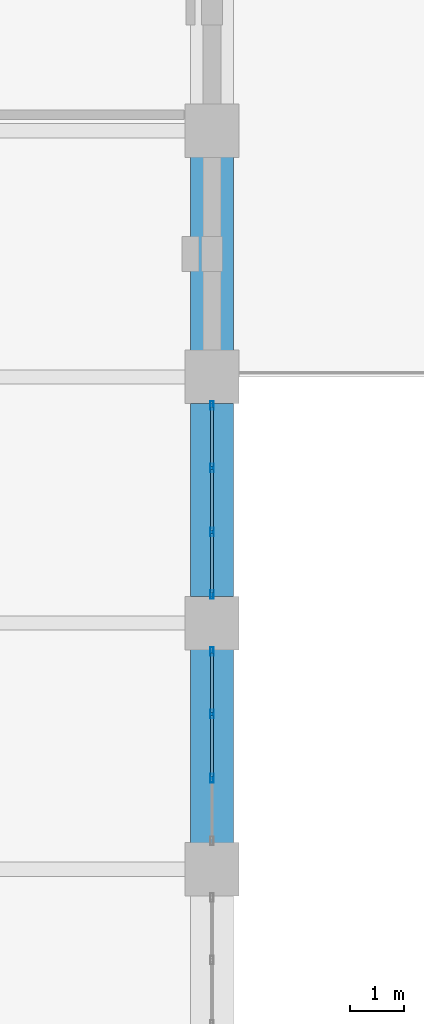
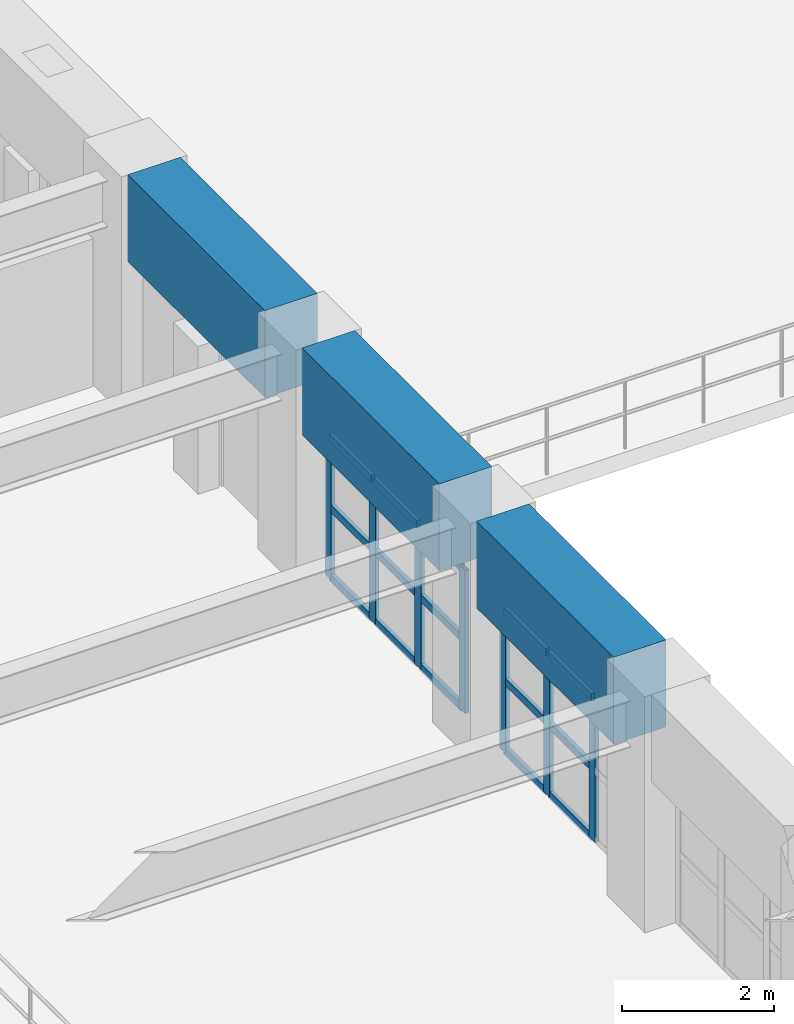
# One storey, part 30 of 74: 22 members, 3 beams, 2 elements without a shape of their own.
"""IFC4 building model written with IfcOpenShell, lengths in metres."""

from ifc_helpers import new_model, si_unit, direction, frame, origin, origin_2d, place, context, subcontext, project, spatial, rectangle, hollow_rectangle, extrude, material, layer, layer_set, material_profile, profile_set, type_object, element, aggregate, save


model = new_model("IFC4")

# Units and contexts
model_context = context("Model", 3, precision=1e-05, world=origin(), true_north=direction((0.0, 1.0)))
body_context = subcontext(model_context, "Body", "Model", "MODEL_VIEW")
ifc_project = project(units=[si_unit("LENGTHUNIT", "METRE"), si_unit("AREAUNIT", "SQUARE_METRE"), si_unit("VOLUMEUNIT", "CUBIC_METRE"), si_unit("PLANEANGLEUNIT", "RADIAN"), si_unit("MASSUNIT", "GRAM", prefix="KILO")], contexts=[model_context])

# Site, building, storey
site_placement = place(None, origin())
site = spatial("IfcSite", under=ifc_project, at=site_placement, CompositionType="ELEMENT")
building_placement = place(site_placement, origin())
building = spatial("IfcBuilding", under=site, at=building_placement, Name="Muzn Square Opera House", CompositionType="ELEMENT")
storey_placement = place(building_placement, frame((0.0, 0.0, 14.199951171875)))
storey = spatial("IfcBuildingStorey", under=building, at=storey_placement, Name="L03", CompositionType="ELEMENT", Elevation=14.199951171875)

# Curtain wall, members
ifc_material_1 = material(Name="Low-E laminated acoustic double glazing", Category="glass")
ifc_layer = layer(ifc_material_1, 0.159912109375, Name="Low-E laminated acoustic double glazing", Category="glass")
ifc_layer_set = layer_set([ifc_layer], Name="Low-E laminated acoustic double glazing")
curtain_wall_type = type_object("IfcCurtainWallType", Name="Glazed Curtain Wall EastVaultCourt 3600x2300", PredefinedType="USERDEFINED", material=ifc_layer_set)
curtain_wall_1_placement = place(storey_placement, origin())
curtain_wall_1 = element("IfcCurtainWall", 1, at=curtain_wall_1_placement, inside=storey, type_object=curtain_wall_type, Name="Glazed Curtain Wall CW-L03-066", ObjectType="GLAZED CURTAIN WALL", PredefinedType="USERDEFINED")
ifc_material_2 = material(Name="Anodised bronze aluminium 6063-T6", Category="metal")
ifc_material_profile_1 = material_profile(ifc_material_2, hollow_rectangle(XDim=0.06005859375, YDim=0.159912109375, WallThickness=0.00390625, at=origin_2d()), Name="ALU 160x60x4", Category="metal")
ifc_profile_set_1 = profile_set([ifc_material_profile_1], Name="Anodised bronze aluminium 6063-T6")
member_type_1 = type_object("IfcMemberType", Name="Curtain Wall Mullion 160x60", PredefinedType="MULLION", material=ifc_profile_set_1)
member_1_placement = place(storey_placement, frame((133.0, 46.699951171875, 0.0), z_axis=(0.0, 0.0, 1.0), x_axis=(-1.0, 0.0, 0.0)))
member_1 = element("IfcMember", 2, at=member_1_placement, type_object=member_type_1, Name="CW-EVC-36x23 mullion 2", PredefinedType="MULLION", context=body_context, shape_type="SweptSolid", body=[
    extrude(hollow_rectangle(XDim=0.06005859375, YDim=0.159912109375, WallThickness=0.00390625, at=origin_2d()), origin(), (0.0, 0.0, 1.0), 2.300048828125),
])
member_2_placement = place(storey_placement, frame((133.0, 47.89990234375, 0.0), z_axis=(0.0, 0.0, 1.0), x_axis=(-1.0, 0.0, 0.0)))
member_2 = element("IfcMember", 3, at=member_2_placement, type_object=member_type_1, Name="CW-EVC-36x23 mullion 3", PredefinedType="MULLION", context=body_context, shape_type="SweptSolid", body=[
    extrude(hollow_rectangle(XDim=0.06005859375, YDim=0.159912109375, WallThickness=0.00390625, at=origin_2d()), origin(), (0.0, 0.0, 1.0), 2.300048828125),
])
member_3_placement = place(storey_placement, frame((133.0, 49.070068359375, 0.0), z_axis=(0.0, 0.0, 1.0), x_axis=(-1.0, 0.0, 0.0)))
member_3 = element("IfcMember", 4, at=member_3_placement, type_object=member_type_1, Name="CW-EVC-36x23 mullion 4", PredefinedType="MULLION", context=body_context, shape_type="SweptSolid", body=[
    extrude(hollow_rectangle(XDim=0.06005859375, YDim=0.159912109375, WallThickness=0.00390625, at=origin_2d()), origin(), (0.0, 0.0, 1.0), 2.300048828125),
])

curtain_wall_2_placement = place(storey_placement, origin())
curtain_wall_2 = element("IfcCurtainWall", 5, at=curtain_wall_2_placement, inside=storey, type_object=curtain_wall_type, Name="Glazed Curtain Wall CW-L03-068", ObjectType="GLAZED CURTAIN WALL", PredefinedType="USERDEFINED")
member_4_placement = place(storey_placement, frame((133.0, 50.1298828125, 0.0), z_axis=(0.0, 0.0, 1.0), x_axis=(-1.0, 0.0, 0.0)))
member_4 = element("IfcMember", 6, at=member_4_placement, type_object=member_type_1, Name="CW-EVC-36x23 mullion 1", PredefinedType="MULLION", context=body_context, shape_type="SweptSolid", body=[
    extrude(hollow_rectangle(XDim=0.06005859375, YDim=0.159912109375, WallThickness=0.00390625, at=origin_2d()), origin(), (0.0, 0.0, 1.0), 2.300048828125),
])
member_5_placement = place(storey_placement, frame((133.0, 51.300048828125, 0.0), z_axis=(0.0, 0.0, 1.0), x_axis=(-1.0, 0.0, 0.0)))
member_5 = element("IfcMember", 7, at=member_5_placement, type_object=member_type_1, Name="CW-EVC-36x23 mullion 2", PredefinedType="MULLION", context=body_context, shape_type="SweptSolid", body=[
    extrude(hollow_rectangle(XDim=0.06005859375, YDim=0.159912109375, WallThickness=0.00390625, at=origin_2d()), origin(), (0.0, 0.0, 1.0), 2.300048828125),
])
member_6_placement = place(storey_placement, frame((133.0, 52.5, 0.0), z_axis=(0.0, 0.0, 1.0), x_axis=(-1.0, 0.0, 0.0)))
member_6 = element("IfcMember", 8, at=member_6_placement, type_object=member_type_1, Name="CW-EVC-36x23 mullion 3", PredefinedType="MULLION", context=body_context, shape_type="SweptSolid", body=[
    extrude(hollow_rectangle(XDim=0.06005859375, YDim=0.159912109375, WallThickness=0.00390625, at=origin_2d()), origin(), (0.0, 0.0, 1.0), 2.300048828125),
])
member_7_placement = place(storey_placement, frame((133.0, 53.669921875, 0.0), z_axis=(0.0, 0.0, 1.0), x_axis=(-1.0, 0.0, 0.0)))
member_7 = element("IfcMember", 9, at=member_7_placement, type_object=member_type_1, Name="CW-EVC-36x23 mullion 4", PredefinedType="MULLION", context=body_context, shape_type="SweptSolid", body=[
    extrude(hollow_rectangle(XDim=0.06005859375, YDim=0.159912109375, WallThickness=0.00390625, at=origin_2d()), origin(), (0.0, 0.0, 1.0), 2.300048828125),
])

# Member
ifc_material_profile_2 = material_profile(ifc_material_2, hollow_rectangle(XDim=0.06005859375, YDim=0.1201171875, WallThickness=0.00390625, at=origin_2d()), Name="ALU 120x60x4", Category="metal")
ifc_profile_set_2 = profile_set([ifc_material_profile_2], Name="Anodised bronze aluminium 6063-T6")
member_type_2 = type_object("IfcMemberType", Name="Curtain Wall Transom 120x60", PredefinedType="USERDEFINED", material=ifc_profile_set_2)
member_8_placement = place(storey_placement, frame((133.0, 46.72998046875, 0.030029296875), z_axis=(0.0, 1.0, 0.0), x_axis=(-1.0, 0.0, 0.0)))
member_8 = element("IfcMember", 10, at=member_8_placement, type_object=member_type_2, Name="CW-EVC-36x23 transom 2.1", ObjectType="TRANSOM", PredefinedType="USERDEFINED", context=body_context, shape_type="SweptSolid", body=[
    extrude(hollow_rectangle(XDim=0.06005859375, YDim=0.1201171875, WallThickness=0.00390625, at=origin_2d()), origin(), (0.0, 0.0, 1.0), 1.14013671875),
])

member_9_placement = place(storey_placement, frame((133.0, 46.72998046875, 1.150146484375), z_axis=(0.0, 1.0, 0.0), x_axis=(-1.0, 0.0, 0.0)))
member_9 = element("IfcMember", 11, at=member_9_placement, type_object=member_type_2, Name="CW-EVC-36x23 transom 2.2", ObjectType="TRANSOM", PredefinedType="USERDEFINED", context=body_context, shape_type="SweptSolid", body=[
    extrude(hollow_rectangle(XDim=0.06005859375, YDim=0.1201171875, WallThickness=0.00390625, at=origin_2d()), origin(), (0.0, 0.0, 1.0), 1.14013671875),
])

member_10_placement = place(storey_placement, frame((133.0, 46.72998046875, 2.27001953125), z_axis=(0.0, 1.0, 0.0), x_axis=(-1.0, 0.0, 0.0)))
member_10 = element("IfcMember", 12, at=member_10_placement, type_object=member_type_2, Name="CW-EVC-36x23 transom 2.3", ObjectType="TRANSOM", PredefinedType="USERDEFINED", context=body_context, shape_type="SweptSolid", body=[
    extrude(hollow_rectangle(XDim=0.06005859375, YDim=0.1201171875, WallThickness=0.00390625, at=origin_2d()), origin(), (0.0, 0.0, 1.0), 1.14013671875),
])

member_11_placement = place(storey_placement, frame((133.0, 47.929931640625, 0.030029296875), z_axis=(0.0, 1.0, 0.0), x_axis=(-1.0, 0.0, 0.0)))
member_11 = element("IfcMember", 13, at=member_11_placement, type_object=member_type_2, Name="CW-EVC-36x23 transom 3.1", ObjectType="TRANSOM", PredefinedType="USERDEFINED", context=body_context, shape_type="SweptSolid", body=[
    extrude(hollow_rectangle(XDim=0.06005859375, YDim=0.1201171875, WallThickness=0.00390625, at=origin_2d()), origin(), (0.0, 0.0, 1.0), 1.110107421875),
])

member_12_placement = place(storey_placement, frame((133.0, 47.929931640625, 1.150146484375), z_axis=(0.0, 1.0, 0.0), x_axis=(-1.0, 0.0, 0.0)))
member_12 = element("IfcMember", 14, at=member_12_placement, type_object=member_type_2, Name="CW-EVC-36x23 transom 3.2", ObjectType="TRANSOM", PredefinedType="USERDEFINED", context=body_context, shape_type="SweptSolid", body=[
    extrude(hollow_rectangle(XDim=0.06005859375, YDim=0.1201171875, WallThickness=0.00390625, at=origin_2d()), origin(), (0.0, 0.0, 1.0), 1.110107421875),
])

member_13_placement = place(storey_placement, frame((133.0, 47.929931640625, 2.27001953125), z_axis=(0.0, 1.0, 0.0), x_axis=(-1.0, 0.0, 0.0)))
member_13 = element("IfcMember", 15, at=member_13_placement, type_object=member_type_2, Name="CW-EVC-36x23 transom 3.3", ObjectType="TRANSOM", PredefinedType="USERDEFINED", context=body_context, shape_type="SweptSolid", body=[
    extrude(hollow_rectangle(XDim=0.06005859375, YDim=0.1201171875, WallThickness=0.00390625, at=origin_2d()), origin(), (0.0, 0.0, 1.0), 1.110107421875),
])

aggregate(curtain_wall_1, [member_1, member_2, member_3, member_8, member_9, member_10, member_11, member_12, member_13])

member_14_placement = place(storey_placement, frame((133.0, 50.159912109375, 0.030029296875), z_axis=(0.0, 1.0, 0.0), x_axis=(-1.0, 0.0, 0.0)))
member_14 = element("IfcMember", 16, at=member_14_placement, type_object=member_type_2, Name="CW-EVC-36x23 transom 1.1", ObjectType="TRANSOM", PredefinedType="USERDEFINED", context=body_context, shape_type="SweptSolid", body=[
    extrude(hollow_rectangle(XDim=0.06005859375, YDim=0.1201171875, WallThickness=0.00390625, at=origin_2d()), origin(), (0.0, 0.0, 1.0), 1.110107421875),
])

member_15_placement = place(storey_placement, frame((133.0, 50.159912109375, 1.150146484375), z_axis=(0.0, 1.0, 0.0), x_axis=(-1.0, 0.0, 0.0)))
member_15 = element("IfcMember", 17, at=member_15_placement, type_object=member_type_2, Name="CW-EVC-36x23 transom 1.2", ObjectType="TRANSOM", PredefinedType="USERDEFINED", context=body_context, shape_type="SweptSolid", body=[
    extrude(hollow_rectangle(XDim=0.06005859375, YDim=0.1201171875, WallThickness=0.00390625, at=origin_2d()), origin(), (0.0, 0.0, 1.0), 1.110107421875),
])

member_16_placement = place(storey_placement, frame((133.0, 50.159912109375, 2.27001953125), z_axis=(0.0, 1.0, 0.0), x_axis=(-1.0, 0.0, 0.0)))
member_16 = element("IfcMember", 18, at=member_16_placement, type_object=member_type_2, Name="CW-EVC-36x23 transom 1.3", ObjectType="TRANSOM", PredefinedType="USERDEFINED", context=body_context, shape_type="SweptSolid", body=[
    extrude(hollow_rectangle(XDim=0.06005859375, YDim=0.1201171875, WallThickness=0.00390625, at=origin_2d()), origin(), (0.0, 0.0, 1.0), 1.110107421875),
])

member_17_placement = place(storey_placement, frame((133.0, 51.330078125, 0.030029296875), z_axis=(0.0, 1.0, 0.0), x_axis=(-1.0, 0.0, 0.0)))
member_17 = element("IfcMember", 19, at=member_17_placement, type_object=member_type_2, Name="CW-EVC-36x23 transom 2.1", ObjectType="TRANSOM", PredefinedType="USERDEFINED", context=body_context, shape_type="SweptSolid", body=[
    extrude(hollow_rectangle(XDim=0.06005859375, YDim=0.1201171875, WallThickness=0.00390625, at=origin_2d()), origin(), (0.0, 0.0, 1.0), 1.139892578125),
])

member_18_placement = place(storey_placement, frame((133.0, 51.330078125, 1.150146484375), z_axis=(0.0, 1.0, 0.0), x_axis=(-1.0, 0.0, 0.0)))
member_18 = element("IfcMember", 20, at=member_18_placement, type_object=member_type_2, Name="CW-EVC-36x23 transom 2.2", ObjectType="TRANSOM", PredefinedType="USERDEFINED", context=body_context, shape_type="SweptSolid", body=[
    extrude(hollow_rectangle(XDim=0.06005859375, YDim=0.1201171875, WallThickness=0.00390625, at=origin_2d()), origin(), (0.0, 0.0, 1.0), 1.139892578125),
])

member_19_placement = place(storey_placement, frame((133.0, 51.330078125, 2.27001953125), z_axis=(0.0, 1.0, 0.0), x_axis=(-1.0, 0.0, 0.0)))
member_19 = element("IfcMember", 21, at=member_19_placement, type_object=member_type_2, Name="CW-EVC-36x23 transom 2.3", ObjectType="TRANSOM", PredefinedType="USERDEFINED", context=body_context, shape_type="SweptSolid", body=[
    extrude(hollow_rectangle(XDim=0.06005859375, YDim=0.1201171875, WallThickness=0.00390625, at=origin_2d()), origin(), (0.0, 0.0, 1.0), 1.139892578125),
])

member_20_placement = place(storey_placement, frame((133.0, 52.530029296875, 0.030029296875), z_axis=(0.0, 1.0, 0.0), x_axis=(-1.0, 0.0, 0.0)))
member_20 = element("IfcMember", 22, at=member_20_placement, type_object=member_type_2, Name="CW-EVC-36x23 transom 3.1", ObjectType="TRANSOM", PredefinedType="USERDEFINED", context=body_context, shape_type="SweptSolid", body=[
    extrude(hollow_rectangle(XDim=0.06005859375, YDim=0.1201171875, WallThickness=0.00390625, at=origin_2d()), origin(), (0.0, 0.0, 1.0), 1.10986328125),
])

member_21_placement = place(storey_placement, frame((133.0, 52.530029296875, 1.150146484375), z_axis=(0.0, 1.0, 0.0), x_axis=(-1.0, 0.0, 0.0)))
member_21 = element("IfcMember", 23, at=member_21_placement, type_object=member_type_2, Name="CW-EVC-36x23 transom 3.2", ObjectType="TRANSOM", PredefinedType="USERDEFINED", context=body_context, shape_type="SweptSolid", body=[
    extrude(hollow_rectangle(XDim=0.06005859375, YDim=0.1201171875, WallThickness=0.00390625, at=origin_2d()), origin(), (0.0, 0.0, 1.0), 1.10986328125),
])

member_22_placement = place(storey_placement, frame((133.0, 52.530029296875, 2.27001953125), z_axis=(0.0, 1.0, 0.0), x_axis=(-1.0, 0.0, 0.0)))
member_22 = element("IfcMember", 24, at=member_22_placement, type_object=member_type_2, Name="CW-EVC-36x23 transom 3.3", ObjectType="TRANSOM", PredefinedType="USERDEFINED", context=body_context, shape_type="SweptSolid", body=[
    extrude(hollow_rectangle(XDim=0.06005859375, YDim=0.1201171875, WallThickness=0.00390625, at=origin_2d()), origin(), (0.0, 0.0, 1.0), 1.10986328125),
])

aggregate(curtain_wall_2, [member_4, member_5, member_6, member_7, member_14, member_15, member_16, member_17, member_18, member_19, member_20, member_21, member_22])

# Beams
ifc_material_3 = material(Name="Concrete C45/55", Category="concrete")
ifc_material_profile_3 = material_profile(ifc_material_3, rectangle(XDim=0.800048828125, YDim=1.39990234375, at=origin_2d()), Name="RCB 800x1400", Category="concrete")
ifc_profile_set_3 = profile_set([ifc_material_profile_3], Name="Concrete C45/55")
beam_type = type_object("IfcBeamType", Name="Vault Springing Girder 800x1400", PredefinedType="BEAM", material=ifc_profile_set_3)
for number, where, z_axis, x_axis, name in (
    (25, (133.0, 45.491943359375, 3.10009765625), (0.0, 1.0, 0.0), (-1.0, 0.0, 0.0), "Vault Springing Girder BM-L03-BM-VS1400-1330_455_1330_491-2618"),
    (26, (133.0, 50.092041015625, 3.10009765625), (0.0, 1.0, 0.0), (-1.0, 0.0, 0.0), "Vault Springing Girder BM-L03-BM-VS1400-1330_501_1330_537-2619"),
):
    element("IfcBeam", number, at=place(storey_placement, frame(where, z_axis=z_axis, x_axis=x_axis)), inside=storey, type_object=beam_type, Name=name, PredefinedType="BEAM", context=body_context, shape_type="SweptSolid", body=[
        extrude(rectangle(XDim=0.800048828125, YDim=1.39990234375, at=origin_2d()), origin(), (0.0, 0.0, 1.0), 3.615966796875),
    ])
beam_placement = place(storey_placement, frame((133.0, 54.69189453125, 3.10009765625), z_axis=(0.0, 1.0, 0.0), x_axis=(-1.0, 0.0, 0.0)))
element("IfcBeam", 27, at=beam_placement, inside=storey, type_object=beam_type, Name="Vault Springing Girder BM-L03-BM-VS1400-1330_547_1330_583-2620", PredefinedType="BEAM", context=body_context, shape_type="SweptSolid", body=[
    extrude(rectangle(XDim=0.800048828125, YDim=1.39990234375, at=origin_2d()), origin(), (0.0, 0.0, 1.0), 3.6162109375),
])

save(model, "model.ifc")
